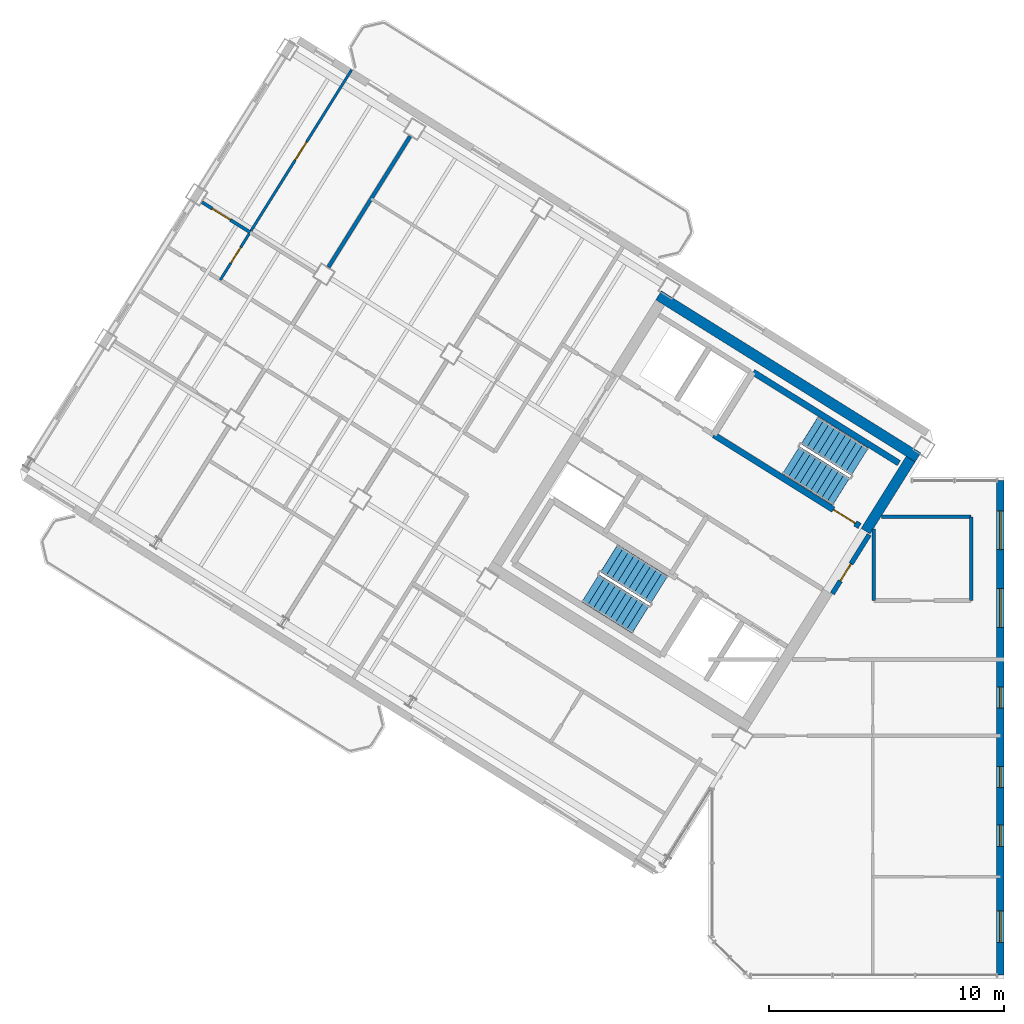
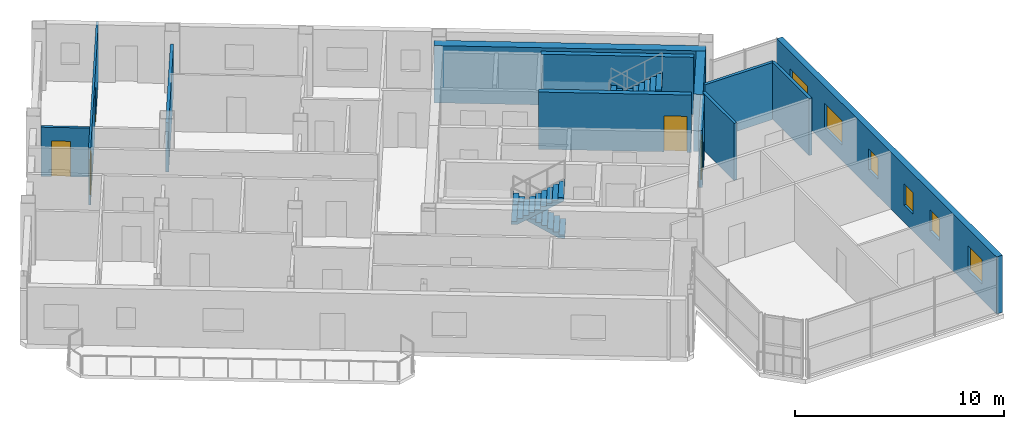
# One storey, part 11 of 14: 12 walls, 6 windows, 5 doors, 4 stair flights, 11 openings, 2 elements without a shape of their own.
"""IFC4 building model written with IfcOpenShell, lengths in metres."""

from ifc_helpers import new_model, si_unit, direction, frame, frame_2d, origin, place, context, subcontext, project, spatial, polyline, rectangle, outline, extrude, source, transform, mapped, material, layer, layer_set, type_object, element, fill, aggregate, save


model = new_model("IFC4")

# Units and contexts
model_context = context("Model", 3, precision=1e-05, world=origin(), true_north=direction((0.0, 1.0)))
body_context = subcontext(model_context, "Body", "Model", "MODEL_VIEW")
ifc_project = project(units=[si_unit("LENGTHUNIT", "METRE"), si_unit("AREAUNIT", "SQUARE_METRE"), si_unit("VOLUMEUNIT", "CUBIC_METRE"), si_unit("PLANEANGLEUNIT", "RADIAN"), si_unit("MASSUNIT", "GRAM", prefix="KILO")], contexts=[model_context])

# Site, building, storey
site_placement = place(None, origin())
site = spatial("IfcSite", under=ifc_project, at=site_placement, CompositionType="ELEMENT")
building_placement = place(site_placement, origin())
building = spatial("IfcBuilding", under=site, at=building_placement, Name="Tlacorven Tower", CompositionType="ELEMENT")
storey_placement = place(building_placement, frame((0.0, 0.0, 273.60009765625)))
storey = spatial("IfcBuildingStorey", under=building, at=storey_placement, Name="L69", CompositionType="ELEMENT", Elevation=273.60009765625)

# Walls
ifc_material_1 = material(Name="Concrete C50/60", Category="concrete")
ifc_layer_1 = layer(ifc_material_1, 0.449951171875)
ifc_layer_set_1 = layer_set([ifc_layer_1], Name="Concrete C50/60")
wall_type_1 = type_object("IfcWallType", Name="WL-COR-450", PredefinedType="SHEAR", material=ifc_layer_set_1)
wall_1_placement = place(storey_placement, frame((40.53076171875, 24.036376953125, 0.0), z_axis=(0.0, 0.0, 1.0), x_axis=(-0.848048787466, 0.529918157905, 0.0)))
element("IfcWall", 1, at=wall_1_placement, inside=storey, type_object=wall_type_1, Name="L69 W core shear wall S1", PredefinedType="SHEAR", context=body_context, shape_type="SweptSolid", body=[
    extrude(rectangle(XDim=13.0400390625, YDim=0.449951171875, at=frame_2d((6.52001953125, 0.0))), origin(), (0.0, 0.0, 1.0), 3.349853515625),
])
wall_2_placement = place(storey_placement, frame((40.220703125, 23.96484375, 0.0), z_axis=(0.0, 0.0, 1.0), x_axis=(-0.529902075036, -0.848058836916, 0.0)))
element("IfcWall", 2, at=wall_2_placement, inside=storey, type_object=wall_type_1, Name="L69 W core end wall E1.1", PredefinedType="SHEAR", context=body_context, shape_type="SweptSolid", body=[
    extrude(rectangle(XDim=3.625, YDim=0.449951171875, at=frame_2d((1.8125, 0.0))), origin(), (0.0, 0.0, 1.0), 3.349853515625),
])
ifc_material_2 = material(Name="Gypsum plasterboard acoustic partition", Category="gypsum")
ifc_layer_2 = layer(ifc_material_2, 0.159912109375)
ifc_layer_set_2 = layer_set([ifc_layer_2], Name="Gypsum plasterboard acoustic partition")
wall_type_2 = type_object("IfcWallType", Name="WL-DEM-160", PredefinedType="PARTITIONING", material=ifc_layer_set_2)
wall_3_placement = place(storey_placement, frame((18.881103515625, 37.727294921875, 0.0), z_axis=(0.0, 0.0, 1.0), x_axis=(-0.529938869374, -0.84803584519, 0.0)))
element("IfcWall", 3, at=wall_3_placement, inside=storey, type_object=wall_type_2, Name="L69 WS Demising Wall 2", PredefinedType="PARTITIONING", context=body_context, shape_type="SweptSolid", body=[
    extrude(rectangle(XDim=6.575927734375, YDim=0.159912109375, at=frame_2d((3.2880859375, 0.0))), origin(), (0.0, 0.0, 1.0), 2.875),
])
wall_4_placement = place(storey_placement, frame((38.64990234375, 17.929931640625, 0.0), z_axis=(0.0, 0.0, 1.0), x_axis=(0.0, 1.0, 0.0)))
element("IfcWall", 4, at=wall_4_placement, inside=storey, type_object=wall_type_2, Name="L69 partition 52", PredefinedType="PARTITIONING", context=body_context, shape_type="SweptSolid", body=[
    extrude(rectangle(XDim=3.045654296875, YDim=0.159912109375, at=frame_2d((1.52294921875, 0.0))), origin(), (0.0, 0.0, 1.0), 3.33984375),
])
wall_5_placement = place(storey_placement, frame((42.800048828125, 17.929931640625, 0.0), z_axis=(0.0, 0.0, 1.0), x_axis=(0.0, 1.0, 0.0)))
element("IfcWall", 5, at=wall_5_placement, inside=storey, type_object=wall_type_2, Name="L69 partition 53", PredefinedType="PARTITIONING", context=body_context, shape_type="SweptSolid", body=[
    extrude(rectangle(XDim=3.570068359375, YDim=0.159912109375, at=frame_2d((1.78515625, 0.0))), origin(), (0.0, 0.0, 1.0), 3.33984375),
])
wall_6_placement = place(storey_placement, frame((38.9775390625, 21.5, 0.0), z_axis=(0.0, 0.0, 1.0), x_axis=(1.0, 0.0, 0.0)))
element("IfcWall", 6, at=wall_6_placement, inside=storey, type_object=wall_type_2, Name="L69 partition 54", PredefinedType="PARTITIONING", context=body_context, shape_type="SweptSolid", body=[
    extrude(rectangle(XDim=3.822509765625, YDim=0.159912109375, at=frame_2d((1.9111328125, 0.0))), origin(), (0.0, 0.0, 1.0), 3.33984375),
])

# Wall, openings, windows
ifc_material_3 = material(Name="Precast concrete C45/55", Category="concrete")
ifc_layer_3 = layer(ifc_material_3, 0.320068359375)
ifc_layer_set_3 = layer_set([ifc_layer_3], Name="Precast concrete C45/55")
wall_type_3 = type_object("IfcWallType", Name="WL-EXT-320", PredefinedType="STANDARD", material=ifc_layer_set_3)
wall_7_placement = place(storey_placement, frame((44.0400390625, 23.0400390625, 0.0), z_axis=(0.0, 0.0, 1.0), x_axis=(0.0, -1.0, 0.0)))
wall_7 = element("IfcWall", 7, at=wall_7_placement, inside=storey, type_object=wall_type_3, Name="L69 Masonry-Frame Recessed Facade Wall 1", PredefinedType="STANDARD", context=body_context, shape_type="SweptSolid", body=[
    extrude(rectangle(XDim=21.080078125, YDim=0.320068359375, at=frame_2d((10.5400390625, 0.0))), origin(), (0.0, 0.0, 1.0), 3.349853515625),
])
opening_1_placement = place(wall_7_placement, frame((1.284912109375, 0.0, 0.89990234375)))
opening_1 = element("IfcOpeningElement", 8, at=opening_1_placement, cuts=wall_7, Name="Opening WN07", PredefinedType="OPENING", context=body_context, shape_type="SweptSolid", body=[
    extrude(rectangle(XDim=1.64990234375, YDim=1.449951171875, at=frame_2d((0.824951171875, 0.72509765625))), frame((0.0, 0.169921875, 0.0), z_axis=(0.0, -1.0, 0.0), x_axis=(1.0, 0.0, 0.0)), (0.0, 0.0, 1.0), 0.340087890625),
])
opening_2_placement = place(wall_7_placement, frame((4.60498046875, 0.0, 0.89990234375)))
opening_2 = element("IfcOpeningElement", 9, at=opening_2_placement, cuts=wall_7, Name="Opening WN07", PredefinedType="OPENING", context=body_context, shape_type="SweptSolid", body=[
    extrude(rectangle(XDim=1.64990234375, YDim=1.449951171875, at=frame_2d((0.824951171875, 0.72509765625))), frame((0.0, 0.169921875, 0.0), z_axis=(0.0, -1.0, 0.0), x_axis=(1.0, 0.0, 0.0)), (0.0, 0.0, 1.0), 0.340087890625),
])
opening_3_placement = place(wall_7_placement, frame((8.800048828125, 0.0, 1.0)))
opening_3 = element("IfcOpeningElement", 10, at=opening_3_placement, cuts=wall_7, Name="Opening WN05", PredefinedType="OPENING", context=body_context, shape_type="SweptSolid", body=[
    extrude(rectangle(XDim=0.89990234375, YDim=1.25, at=frame_2d((0.449951171875, 0.625))), frame((0.0, 0.169921875, 0.0), z_axis=(0.0, -1.0, 0.0), x_axis=(1.0, 0.0, 0.0)), (0.0, 0.0, 1.0), 0.340087890625),
])
opening_4_placement = place(wall_7_placement, frame((12.188720703125, 0.0, 1.0)))
opening_4 = element("IfcOpeningElement", 11, at=opening_4_placement, cuts=wall_7, Name="Opening WN05", PredefinedType="OPENING", context=body_context, shape_type="SweptSolid", body=[
    extrude(rectangle(XDim=0.89990234375, YDim=1.25, at=frame_2d((0.449951171875, 0.625))), frame((0.0, 0.169921875, 0.0), z_axis=(0.0, -1.0, 0.0), x_axis=(1.0, 0.0, 0.0)), (0.0, 0.0, 1.0), 0.340087890625),
])
opening_5_placement = place(wall_7_placement, frame((14.686279296875, 0.0, 1.0)))
opening_5 = element("IfcOpeningElement", 12, at=opening_5_placement, cuts=wall_7, Name="Opening WN05", PredefinedType="OPENING", context=body_context, shape_type="SweptSolid", body=[
    extrude(rectangle(XDim=0.89990234375, YDim=1.25, at=frame_2d((0.449951171875, 0.625))), frame((0.0, 0.169921875, 0.0), z_axis=(0.0, -1.0, 0.0), x_axis=(1.0, 0.0, 0.0)), (0.0, 0.0, 1.0), 0.340087890625),
])
opening_6_placement = place(wall_7_placement, frame((18.33740234375, 0.0, 0.89990234375)))
opening_6 = element("IfcOpeningElement", 13, at=opening_6_placement, cuts=wall_7, Name="Opening WN08", PredefinedType="OPENING", context=body_context, shape_type="SweptSolid", body=[
    extrude(rectangle(XDim=1.35009765625, YDim=1.449951171875, at=frame_2d((0.675048828125, 0.72509765625))), frame((0.0, 0.169921875, 0.0), z_axis=(0.0, -1.0, 0.0), x_axis=(1.0, 0.0, 0.0)), (0.0, 0.0, 1.0), 0.340087890625),
])
ifc_material_4 = material(Name="Dark solar low-E double glazing in anodised aluminium frame", Category="aluminium")
window_type_1 = type_object("IfcWindowType", Name="WN-APT-0900X1350", PartitioningType="SINGLE_PANEL", PredefinedType="WINDOW", material=ifc_material_4)
shared_shape_1 = source(origin(), body_context, "Body", "SweptSolid", [
    extrude(rectangle(XDim=0.89990234375, YDim=1.25, at=frame_2d((0.449951171875, 0.625))), frame((0.0, 0.030029296875, 0.0), z_axis=(0.0, -1.0, 0.0), x_axis=(1.0, 0.0, 0.0)), (0.0, 0.0, 1.0), 0.06005859375),
])
window_1_placement = place(opening_3_placement, origin())
window_1 = element("IfcWindow", 14, at=window_1_placement, inside=storey, type_object=window_type_1, Name="L69 Recessed Masonry-Frame Window L69-01.3", OverallHeight=1.25, OverallWidth=0.89990234375, PartitioningType="SINGLE_PANEL", PredefinedType="WINDOW", context=body_context, shape_type="MappedRepresentation", body=[
    mapped(shared_shape_1, transform((0.0, 0.0, 0.0), scale=1.0)),
])
fill(opening_3, window_1)
window_2_placement = place(opening_4_placement, origin())
window_2 = element("IfcWindow", 15, at=window_2_placement, inside=storey, type_object=window_type_1, Name="L69 Recessed Masonry-Frame Window L69-01.4", OverallHeight=1.25, OverallWidth=0.89990234375, PartitioningType="SINGLE_PANEL", PredefinedType="WINDOW", context=body_context, shape_type="MappedRepresentation", body=[
    mapped(shared_shape_1, transform((0.0, 0.0, 0.0), scale=1.0)),
])
fill(opening_4, window_2)
window_3_placement = place(opening_5_placement, origin())
window_3 = element("IfcWindow", 16, at=window_3_placement, inside=storey, type_object=window_type_1, Name="L69 Recessed Masonry-Frame Window L69-01.5", OverallHeight=1.25, OverallWidth=0.89990234375, PartitioningType="SINGLE_PANEL", PredefinedType="WINDOW", context=body_context, shape_type="MappedRepresentation", body=[
    mapped(shared_shape_1, transform((0.0, 0.0, 0.0), scale=1.0)),
])
fill(opening_5, window_3)
window_type_2 = type_object("IfcWindowType", Name="WN-APT-1650X1600", PartitioningType="SINGLE_PANEL", PredefinedType="WINDOW", material=ifc_material_4)
shared_shape_2 = source(origin(), body_context, "Body", "SweptSolid", [
    extrude(rectangle(XDim=1.64990234375, YDim=1.449951171875, at=frame_2d((0.824951171875, 0.72509765625))), frame((0.0, 0.030029296875, 0.0), z_axis=(0.0, -1.0, 0.0), x_axis=(1.0, 0.0, 0.0)), (0.0, 0.0, 1.0), 0.06005859375),
])
window_4_placement = place(opening_1_placement, origin())
window_4 = element("IfcWindow", 17, at=window_4_placement, inside=storey, type_object=window_type_2, Name="L69 Recessed Masonry-Frame Window L69-01.1", OverallHeight=1.449951171875, OverallWidth=1.64990234375, PartitioningType="SINGLE_PANEL", PredefinedType="WINDOW", context=body_context, shape_type="MappedRepresentation", body=[
    mapped(shared_shape_2, transform((0.0, 0.0, 0.0), scale=1.0)),
])
fill(opening_1, window_4)
window_5_placement = place(opening_2_placement, origin())
window_5 = element("IfcWindow", 18, at=window_5_placement, inside=storey, type_object=window_type_2, Name="L69 Recessed Masonry-Frame Window L69-01.2", OverallHeight=1.449951171875, OverallWidth=1.64990234375, PartitioningType="SINGLE_PANEL", PredefinedType="WINDOW", context=body_context, shape_type="MappedRepresentation", body=[
    mapped(shared_shape_2, transform((0.0, 0.0, 0.0), scale=1.0)),
])
fill(opening_2, window_5)
window_type_3 = type_object("IfcWindowType", Name="WN-APT-1350X1550", PartitioningType="SINGLE_PANEL", PredefinedType="WINDOW", material=ifc_material_4)
shared_shape_3 = source(origin(), body_context, "Body", "SweptSolid", [
    extrude(rectangle(XDim=1.35009765625, YDim=1.449951171875, at=frame_2d((0.675048828125, 0.72509765625))), frame((0.0, 0.030029296875, 0.0), z_axis=(0.0, -1.0, 0.0), x_axis=(1.0, 0.0, 0.0)), (0.0, 0.0, 1.0), 0.06005859375),
])
window_6_placement = place(opening_6_placement, origin())
window_6 = element("IfcWindow", 19, at=window_6_placement, inside=storey, type_object=window_type_3, Name="L69 Recessed Masonry-Frame Window L69-01.6", OverallHeight=1.449951171875, OverallWidth=1.35009765625, PartitioningType="SINGLE_PANEL", PredefinedType="WINDOW", context=body_context, shape_type="MappedRepresentation", body=[
    mapped(shared_shape_3, transform((0.0, 0.0, 0.0), scale=1.0)),
])
fill(opening_6, window_6)

# Wall, openings, doors
ifc_material_5 = material(Name="Gypsum plasterboard partition", Category="gypsum")
ifc_layer_4 = layer(ifc_material_5, 0.110107421875)
ifc_layer_set_4 = layer_set([ifc_layer_4], Name="Gypsum plasterboard partition")
wall_type_4 = type_object("IfcWallType", Name="WL-INT-110", PredefinedType="PARTITIONING", material=ifc_layer_set_4)
wall_8_placement = place(storey_placement, frame((16.384521484375, 40.563232421875, 0.0), z_axis=(0.0, 0.0, 1.0), x_axis=(-0.529924195719, -0.848045014602, 0.0)))
wall_8 = element("IfcWall", 20, at=wall_8_placement, inside=storey, type_object=wall_type_4, Name="L69 partition 41", PredefinedType="PARTITIONING", context=body_context, shape_type="SweptSolid", body=[
    extrude(rectangle(XDim=10.570068359375, YDim=0.110107421875, at=frame_2d((5.28515625, 0.0))), origin(), (0.0, 0.0, 1.0), 3.33984375),
])
opening_7_placement = place(wall_8_placement, frame((8.929931640625, 0.0, 0.0)))
opening_7 = element("IfcOpeningElement", 21, at=opening_7_placement, cuts=wall_8, Name="Opening D22", PredefinedType="OPENING", context=body_context, shape_type="SweptSolid", body=[
    extrude(rectangle(XDim=0.780029296875, YDim=2.050048828125, at=frame_2d((0.39013671875, 1.02490234375))), frame((0.0, 0.06494140625, 0.0), z_axis=(0.0, -1.0, 0.0), x_axis=(1.0, 0.0, 0.0)), (0.0, 0.0, 1.0), 0.130126953125),
])
opening_8_placement = place(wall_8_placement, frame((3.625, 0.0, 0.0)))
opening_8 = element("IfcOpeningElement", 22, at=opening_8_placement, cuts=wall_8, Name="Opening D12", PredefinedType="OPENING", context=body_context, shape_type="SweptSolid", body=[
    extrude(rectangle(XDim=0.919921875, YDim=2.080078125, at=frame_2d((0.4599609375, 1.0400390625))), frame((0.0, 0.06494140625, 0.0), z_axis=(0.0, -1.0, 0.0), x_axis=(1.0, 0.0, 0.0)), (0.0, 0.0, 1.0), 0.130126953125),
])
ifc_material_6 = material(Name="Powder-coated aluminium and timber door", Category="wood")
door_type_1 = type_object("IfcDoorType", Name="DR-INT-WET-0780", OperationType="NOTDEFINED", PredefinedType="DOOR", material=ifc_material_6)
shared_shape_4 = source(origin(), body_context, "Body", "SweptSolid", [
    extrude(rectangle(XDim=0.780029296875, YDim=2.050048828125, at=frame_2d((0.39013671875, 1.02490234375))), frame((0.0, 0.02490234375, 0.0), z_axis=(0.0, -1.0, 0.0), x_axis=(1.0, 0.0, 0.0)), (0.0, 0.0, 1.0), 0.050048828125),
])
door_1_placement = place(opening_7_placement, origin())
door_1 = element("IfcDoor", 23, at=door_1_placement, inside=storey, type_object=door_type_1, Name="L69 door 031", OperationType="SINGLE_SWING_RIGHT", OverallHeight=2.050048828125, OverallWidth=0.780029296875, PredefinedType="DOOR", context=body_context, shape_type="MappedRepresentation", body=[
    mapped(shared_shape_4, transform((0.0, 0.0, 0.0), scale=1.0)),
])
fill(opening_7, door_1)
door_type_2 = type_object("IfcDoorType", Name="DR-INT-ROOM-0920", OperationType="NOTDEFINED", PredefinedType="DOOR", material=ifc_material_6)
shared_shape_5 = source(origin(), body_context, "Body", "SweptSolid", [
    extrude(rectangle(XDim=0.919921875, YDim=2.080078125, at=frame_2d((0.4599609375, 1.0400390625))), frame((0.0, 0.02490234375, 0.0), z_axis=(0.0, -1.0, 0.0), x_axis=(1.0, 0.0, 0.0)), (0.0, 0.0, 1.0), 0.050048828125),
])
door_2_placement = place(opening_8_placement, origin())
door_2 = element("IfcDoor", 24, at=door_2_placement, inside=storey, type_object=door_type_2, Name="L69 door 032", OperationType="SINGLE_SWING_LEFT", OverallHeight=2.080078125, OverallWidth=0.919921875, PredefinedType="DOOR", context=body_context, shape_type="MappedRepresentation", body=[
    mapped(shared_shape_5, transform((0.0, 0.0, 0.0), scale=1.0)),
])
fill(opening_8, door_2)

# Wall, opening, door
ifc_material_7 = material(Name="Moisture-resistant gypsum plumbing wall", Category="gypsum")
ifc_layer_5 = layer(ifc_material_7, 0.139892578125)
ifc_layer_set_5 = layer_set([ifc_layer_5], Name="Moisture-resistant gypsum plumbing wall")
wall_type_5 = type_object("IfcWallType", Name="WL-PLM-140", PredefinedType="PLUMBINGWALL", material=ifc_layer_set_5)
wall_9_placement = place(storey_placement, frame((12.05517578125, 33.634765625, 0.0), z_axis=(0.0, 0.0, 1.0), x_axis=(-0.848089044815, 0.529853727046, 0.0)))
wall_9 = element("IfcWall", 25, at=wall_9_placement, inside=storey, type_object=wall_type_5, Name="L69 partition 43", PredefinedType="PLUMBINGWALL", context=body_context, shape_type="SweptSolid", body=[
    extrude(rectangle(XDim=2.418212890625, YDim=0.139892578125, at=frame_2d((1.208984375, 0.0))), origin(), (0.0, 0.0, 1.0), 2.875),
])
opening_9_placement = place(wall_9_placement, frame((0.989990234375, 0.0, 0.0)))
opening_9 = element("IfcOpeningElement", 26, at=opening_9_placement, cuts=wall_9, Name="Opening D12", PredefinedType="OPENING", context=body_context, shape_type="SweptSolid", body=[
    extrude(rectangle(XDim=0.919921875, YDim=2.080078125, at=frame_2d((0.4599609375, 1.0400390625))), frame((0.0, 0.080078125, 0.0), z_axis=(0.0, -1.0, 0.0), x_axis=(1.0, 0.0, 0.0)), (0.0, 0.0, 1.0), 0.159912109375),
])
door_3_placement = place(opening_9_placement, origin())
door_3 = element("IfcDoor", 27, at=door_3_placement, inside=storey, type_object=door_type_2, Name="L69 door 030", OperationType="SINGLE_SWING_LEFT", OverallHeight=2.080078125, OverallWidth=0.919921875, PredefinedType="DOOR", context=body_context, shape_type="MappedRepresentation", body=[
    mapped(shared_shape_5, transform((0.0, 0.0, 0.0), scale=1.0)),
])
fill(opening_9, door_3)

ifc_material_8 = material(Name="Concrete C40/50", Category="concrete")
ifc_layer_6 = layer(ifc_material_8, 0.199951171875)
ifc_layer_set_6 = layer_set([ifc_layer_6], Name="Concrete C40/50")
wall_type_6 = type_object("IfcWallType", Name="WL-SHF-200", PredefinedType="STANDARD", material=ifc_layer_set_6)
wall_10_placement = place(storey_placement, frame((38.451416015625, 20.737060546875, 0.0), z_axis=(0.0, 0.0, 1.0), x_axis=(-0.529924799939, -0.848044637038, 0.0)))
wall_10 = element("IfcWall", 28, at=wall_10_placement, inside=storey, type_object=wall_type_6, Name="L69 partition 49", PredefinedType="STANDARD", context=body_context, shape_type="SweptSolid", body=[
    extrude(rectangle(XDim=2.9599609375, YDim=0.199951171875, at=frame_2d((1.47998046875, 0.0))), origin(), (0.0, 0.0, 1.0), 3.33984375),
])
opening_10_placement = place(wall_10_placement, frame((1.4599609375, 0.0, 0.0)))
opening_10 = element("IfcOpeningElement", 29, at=opening_10_placement, cuts=wall_10, Name="Opening D19", PredefinedType="OPENING", context=body_context, shape_type="SweptSolid", body=[
    extrude(rectangle(XDim=0.860107421875, YDim=2.050048828125, at=frame_2d((0.43017578125, 1.02490234375))), frame((0.0, 0.10986328125, 0.0), z_axis=(0.0, -1.0, 0.0), x_axis=(1.0, 0.0, 0.0)), (0.0, 0.0, 1.0), 0.219970703125),
])
ifc_material_9 = material(Name="Fire-rated steel door assembly", Category="steel")
door_type_3 = type_object("IfcDoorType", Name="DR-RSR-FD60-0860", OperationType="NOTDEFINED", PredefinedType="DOOR", material=ifc_material_9)
shared_shape_6 = source(origin(), body_context, "Body", "SweptSolid", [
    extrude(rectangle(XDim=0.860107421875, YDim=2.050048828125, at=frame_2d((0.43017578125, 1.02490234375))), frame((0.0, 0.02490234375, 0.0), z_axis=(0.0, -1.0, 0.0), x_axis=(1.0, 0.0, 0.0)), (0.0, 0.0, 1.0), 0.050048828125),
])
door_4_placement = place(opening_10_placement, frame((0.860107421875, 0.0, 0.0), z_axis=(0.0, 0.0, 1.0), x_axis=(-1.0, 0.0, 0.0)))
door_4 = element("IfcDoor", 30, at=door_4_placement, inside=storey, type_object=door_type_3, Name="L69 door 037", OperationType="SINGLE_SWING_LEFT", OverallHeight=2.050048828125, OverallWidth=0.860107421875, PredefinedType="DOOR", context=body_context, shape_type="MappedRepresentation", body=[
    mapped(shared_shape_6, transform((0.0, 0.0, 0.0), scale=1.0)),
])
fill(opening_10, door_4)

# Wall
ifc_layer_7 = layer(ifc_material_1, 0.260009765625)
ifc_layer_set_7 = layer_set([ifc_layer_7], Name="Concrete C50/60")
wall_type_7 = type_object("IfcWallType", Name="WL-STW-260", PredefinedType="SHEAR", material=ifc_layer_set_7)
wall_11_placement = place(storey_placement, frame((39.720947265625, 23.787841796875, 0.0), z_axis=(0.0, 0.0, 1.0), x_axis=(-0.848054434086, 0.529909121291, 0.0)))
element("IfcWall", 31, at=wall_11_placement, inside=storey, type_object=wall_type_7, Name="L69 Stair W2 Far Shear Wall", PredefinedType="SHEAR", context=body_context, shape_type="SweptSolid", body=[
    extrude(rectangle(XDim=7.330078125, YDim=0.260009765625, at=frame_2d((3.6650390625, 0.0))), origin(), (0.0, 0.0, 1.0), 3.349853515625),
])

# Wall, opening, door
wall_12_placement = place(storey_placement, frame((38.04638671875, 21.10791015625, 0.0), z_axis=(0.0, 0.0, 1.0), x_axis=(-0.848054434086, 0.529909121291, 0.0)))
wall_12 = element("IfcWall", 32, at=wall_12_placement, inside=storey, type_object=wall_type_7, Name="L69 Stair W2 Lobby Shear Wall", PredefinedType="SHEAR", context=body_context, shape_type="SweptSolid", body=[
    extrude(rectangle(XDim=7.330078125, YDim=0.260009765625, at=frame_2d((3.6650390625, 0.0))), origin(), (0.0, 0.0, 1.0), 3.349853515625),
])
opening_11_placement = place(wall_12_placement, frame((0.219970703125, 0.0, 0.0)))
opening_11 = element("IfcOpeningElement", 33, at=opening_11_placement, cuts=wall_12, Name="Opening D07", PredefinedType="OPENING", context=body_context, shape_type="SweptSolid", body=[
    extrude(rectangle(XDim=1.10009765625, YDim=2.10009765625, at=frame_2d((0.550048828125, 1.050048828125))), frame((0.0, 0.14013671875, 0.0), z_axis=(0.0, -1.0, 0.0), x_axis=(1.0, 0.0, 0.0)), (0.0, 0.0, 1.0), 0.280029296875),
])
door_type_4 = type_object("IfcDoorType", Name="DR-STR-FD90-1100", OperationType="NOTDEFINED", PredefinedType="DOOR", material=ifc_material_9)
shared_shape_7 = source(origin(), body_context, "Body", "SweptSolid", [
    extrude(rectangle(XDim=1.10009765625, YDim=2.10009765625, at=frame_2d((0.550048828125, 1.050048828125))), frame((0.0, 0.02490234375, 0.0), z_axis=(0.0, -1.0, 0.0), x_axis=(1.0, 0.0, 0.0)), (0.0, 0.0, 1.0), 0.050048828125),
])
door_5_placement = place(opening_11_placement, origin())
door_5 = element("IfcDoor", 34, at=door_5_placement, inside=storey, type_object=door_type_4, Name="L69 Exit Stair W2 Fire Door", OperationType="SINGLE_SWING_RIGHT", OverallHeight=2.10009765625, OverallWidth=1.10009765625, PredefinedType="DOOR", context=body_context, shape_type="MappedRepresentation", body=[
    mapped(shared_shape_7, transform((0.0, 0.0, 0.0), scale=1.0)),
])
fill(opening_11, door_5)

# Stair, stair flights
stair_type = type_object("IfcStairType", Name="ST-CORE-DLG", PredefinedType="HALF_TURN_STAIR", material=ifc_material_8)
stair_1_placement = place(storey_placement, origin())
stair_1 = element("IfcStair", 35, at=stair_1_placement, inside=storey, type_object=stair_type, Name="L69 Protected Exit Stair West 1", PredefinedType="HALF_TURN_STAIR")
stair_flight_type = type_object("IfcStairFlightType", Name="SFL-RC-1380", PredefinedType="STRAIGHT", material=ifc_material_8)
shared_shape_8 = source(origin(), body_context, "Body", "SweptSolid", [
    extrude(outline(polyline([(-0.0029296875, -0.0029296875), (-0.0029296875, 0.179931640625), (0.280029296875, 0.179931640625), (0.280029296875, 0.360107421875), (0.56005859375, 0.360107421875), (0.56005859375, 0.5400390625), (0.840087890625, 0.5400390625), (0.840087890625, 0.719970703125), (1.1201171875, 0.719970703125), (1.1201171875, 0.89990234375), (1.39990234375, 0.89990234375), (1.39990234375, 1.080078125), (1.679931640625, 1.080078125), (1.679931640625, 1.260009765625), (1.9599609375, 1.260009765625), (1.9599609375, 1.43994140625), (2.239990234375, 1.43994140625), (2.239990234375, 1.6201171875), (2.52001953125, 1.6201171875), (2.52001953125, 1.800048828125), (2.52294921875, 1.800048828125), (2.52294921875, 1.429931640625), (2.52001953125, 1.429931640625), (0.295654296875, 0.0), (0.295654296875, -0.0029296875), (-0.0029296875, -0.0029296875)])), frame((0.0, 0.68994140625, 0.0), z_axis=(0.0, -1.0, 0.0), x_axis=(1.0, 0.0, 0.0)), (0.0, 0.0, 1.0), 1.3798828125),
])
stair_flight_1_placement = place(storey_placement, frame((29.499755859375, 18.39453125, 0.0), z_axis=(0.0, 0.0, 1.0), x_axis=(-0.848048096156, 0.529919264233, 0.0)))
stair_flight_1 = element("IfcStairFlight", 36, at=stair_flight_1_placement, type_object=stair_flight_type, Name="ST-W1 flight 1", NumberOfRisers=10, NumberOfTreads=9, PredefinedType="STRAIGHT", RiserHeight=0.18, TreadLength=0.28, context=body_context, shape_type="MappedRepresentation", body=[
    mapped(shared_shape_8, transform((0.0, 0.0, 0.0), scale=1.0)),
])
stair_flight_2_placement = place(storey_placement, frame((26.56787109375, 18.4580078125, 1.7998046875), z_axis=(0.0, 0.0, 1.0), x_axis=(0.848048096156, -0.529919264233, 0.0)))
stair_flight_2 = element("IfcStairFlight", 37, at=stair_flight_2_placement, type_object=stair_flight_type, Name="ST-W1 flight 2", NumberOfRisers=10, NumberOfTreads=9, PredefinedType="STRAIGHT", RiserHeight=0.18, TreadLength=0.28, context=body_context, shape_type="MappedRepresentation", body=[
    mapped(shared_shape_8, transform((0.0, 0.0, 0.0), scale=1.0)),
])
aggregate(stair_1, [stair_flight_1, stair_flight_2])

stair_2_placement = place(storey_placement, origin())
stair_2 = element("IfcStair", 38, at=stair_2_placement, inside=storey, type_object=stair_type, Name="L69 Protected Exit Stair West 2", PredefinedType="HALF_TURN_STAIR")
stair_flight_3_placement = place(storey_placement, frame((38.051513671875, 23.852294921875, 0.0), z_axis=(0.0, 0.0, 1.0), x_axis=(-0.848048096156, 0.529919264233, 0.0)))
stair_flight_3 = element("IfcStairFlight", 39, at=stair_flight_3_placement, type_object=stair_flight_type, Name="ST-W2 flight 1", NumberOfRisers=10, NumberOfTreads=9, PredefinedType="STRAIGHT", RiserHeight=0.18, TreadLength=0.28, context=body_context, shape_type="MappedRepresentation", body=[
    mapped(shared_shape_8, transform((0.0, 0.0, 0.0), scale=1.0)),
])
stair_flight_4_placement = place(storey_placement, frame((35.119384765625, 23.91552734375, 1.7998046875), z_axis=(0.0, 0.0, 1.0), x_axis=(0.848048096156, -0.529919264233, 0.0)))
stair_flight_4 = element("IfcStairFlight", 40, at=stair_flight_4_placement, type_object=stair_flight_type, Name="ST-W2 flight 2", NumberOfRisers=10, NumberOfTreads=9, PredefinedType="STRAIGHT", RiserHeight=0.18, TreadLength=0.28, context=body_context, shape_type="MappedRepresentation", body=[
    mapped(shared_shape_8, transform((0.0, 0.0, 0.0), scale=1.0)),
])
aggregate(stair_2, [stair_flight_3, stair_flight_4])

save(model, "model.ifc")
